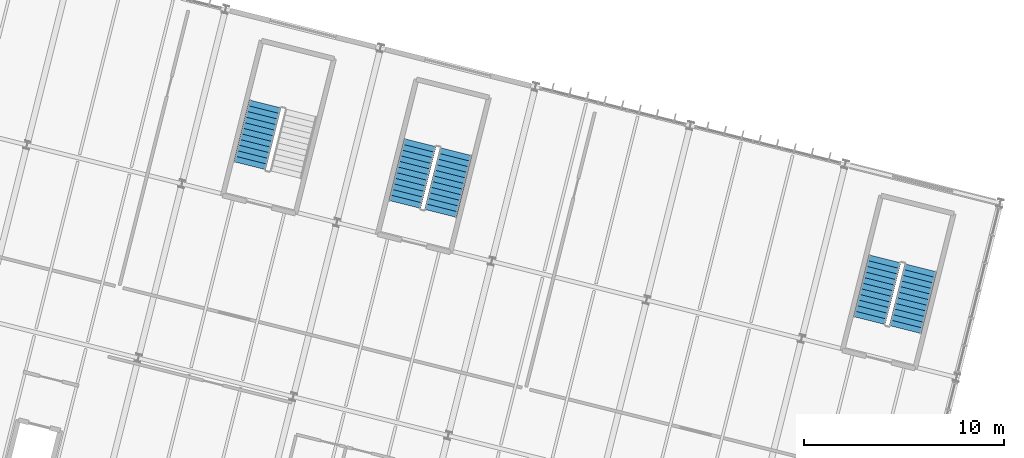
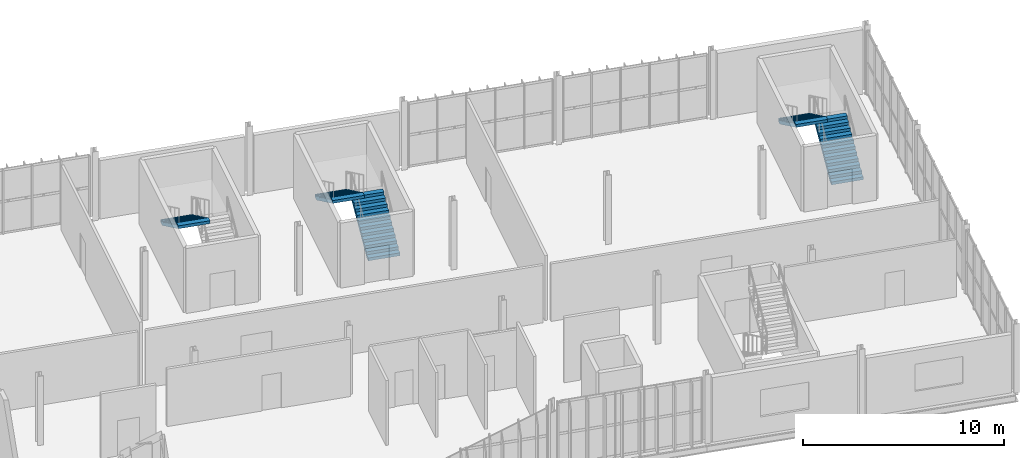
# One storey, part 48 of 61: 5 stair flights, 3 elements without a shape of their own.
"""IFC4 building model written with IfcOpenShell, lengths in metres."""

from ifc_helpers import new_model, si_unit, derived_unit, direction, frame, origin, place, context, subcontext, project, spatial, polyline, outline, extrude, material, type_object, element, aggregate, save


model = new_model("IFC4")

# Units and contexts
model_context = context("Model", 3, precision=1e-05, world=origin(), true_north=direction((0.0, 1.0)))
body_context = subcontext(model_context, "Body", "Model", "MODEL_VIEW")
ifc_project = project(units=[si_unit("LENGTHUNIT", "METRE"), si_unit("AREAUNIT", "SQUARE_METRE"), si_unit("VOLUMEUNIT", "CUBIC_METRE"), si_unit("PLANEANGLEUNIT", "RADIAN"), si_unit("MASSUNIT", "GRAM", prefix="KILO"), si_unit("THERMODYNAMICTEMPERATUREUNIT", "KELVIN"), si_unit("TIMEUNIT", "SECOND"), derived_unit("THERMALTRANSMITTANCEUNIT", [(si_unit("MASSUNIT", "GRAM", prefix="KILO"), 1), (si_unit("THERMODYNAMICTEMPERATUREUNIT", "KELVIN"), -1), (si_unit("TIMEUNIT", "SECOND"), -3)])], contexts=[model_context])

# Site, building, storey
site_placement = place(None, origin())
site = spatial("IfcSite", under=ifc_project, at=site_placement, CompositionType="ELEMENT")
building_placement = place(site_placement, origin())
building = spatial("IfcBuilding", under=site, at=building_placement, Name="Cambertide Market Hall", CompositionType="ELEMENT")
storey_placement = place(building_placement, frame((0.0, 0.0, 9.89990234375)))
storey = spatial("IfcBuildingStorey", under=building, at=storey_placement, Name="L03", CompositionType="ELEMENT", Elevation=9.89990234375)

# Stair, stair flight
ifc_material_1 = material(Name="Concrete B35", Category="concrete")
stair_type_1 = type_object("IfcStairType", Name="Concrete Dogleg Stair ST-07B", PredefinedType="HALF_TURN_STAIR", material=ifc_material_1)
stair_1_placement = place(storey_placement, origin())
stair_1 = element("IfcStair", 1, at=stair_1_placement, inside=storey, type_object=stair_type_1, Name="Level 3 Exit Stair Core 07B", PredefinedType="HALF_TURN_STAIR")
ifc_material_2 = material(Name="Concrete B35", Category="concrete")
stair_flight_type_1 = type_object("IfcStairFlightType", Name="Concrete Stair Flight ST-07B", PredefinedType="STRAIGHT", material=ifc_material_2)
stair_flight_1_placement = place(storey_placement, frame((139.818359375, 115.639892578125, 2.10009765625), z_axis=(0.0, 0.0, 1.0), x_axis=(-0.242535617113, -0.970142502126, 0.0)))
stair_flight_1 = element("IfcStairFlight", 2, at=stair_flight_1_placement, type_object=stair_flight_type_1, Name="ST-07B flight 2", NumberOfRisers=12, NumberOfTreads=11, PredefinedType="STRAIGHT", RiserHeight=0.175, TreadLength=0.29, context=body_context, shape_type="SweptSolid", body=[
    extrude(outline(polyline([(0.0, 0.0), (0.0, 0.175048828125), (0.2900390625, 0.175048828125), (0.2900390625, 0.35009765625), (0.580078125, 0.35009765625), (0.580078125, 0.52490234375), (0.8701171875, 0.52490234375), (0.8701171875, 0.699951171875), (1.159912109375, 0.699951171875), (1.159912109375, 0.875), (1.449951171875, 0.875), (1.449951171875, 1.050048828125), (1.739990234375, 1.050048828125), (1.739990234375, 1.22509765625), (2.030029296875, 1.22509765625), (2.030029296875, 1.39990234375), (2.320068359375, 1.39990234375), (2.320068359375, 1.574951171875), (2.610107421875, 1.574951171875), (2.610107421875, 1.75), (2.89990234375, 1.75), (2.89990234375, 1.925048828125), (3.18994140625, 1.925048828125), (3.18994140625, 2.10009765625), (3.18994140625, 1.75), (0.2900390625, 0.0), (0.0, 0.0)])), frame((0.0, 0.824951171875, 0.0), z_axis=(0.0, -1.0, 0.0), x_axis=(1.0, 0.0, 0.0)), (0.0, 0.0, 1.0), 1.64990234375),
])
aggregate(stair_1, [stair_flight_1])

# Stair, stair flights
ifc_material_3 = material(Name="Concrete B35", Category="concrete")
stair_type_2 = type_object("IfcStairType", Name="Concrete Dogleg Stair ST-08B", PredefinedType="HALF_TURN_STAIR", material=ifc_material_3)
stair_2_placement = place(storey_placement, origin())
stair_2 = element("IfcStair", 3, at=stair_2_placement, inside=storey, type_object=stair_type_2, Name="Level 3 Exit Stair Core 08B", PredefinedType="HALF_TURN_STAIR")
ifc_material_4 = material(Name="Concrete B35", Category="concrete")
stair_flight_type_2 = type_object("IfcStairFlightType", Name="Concrete Stair Flight ST-08B", PredefinedType="STRAIGHT", material=ifc_material_4)
stair_flight_2_placement = place(storey_placement, frame((171.8837890625, 104.335205078125, 0.0), z_axis=(0.0, 0.0, 1.0), x_axis=(0.242535617113, 0.970142502126, 0.0)))
stair_flight_2 = element("IfcStairFlight", 4, at=stair_flight_2_placement, type_object=stair_flight_type_2, Name="ST-08B flight 1", NumberOfRisers=12, NumberOfTreads=11, PredefinedType="STRAIGHT", RiserHeight=0.175, TreadLength=0.29, context=body_context, shape_type="SweptSolid", body=[
    extrude(outline(polyline([(0.0, 0.0), (0.0, 0.175048828125), (0.2900390625, 0.175048828125), (0.2900390625, 0.35009765625), (0.580078125, 0.35009765625), (0.580078125, 0.52490234375), (0.8701171875, 0.52490234375), (0.8701171875, 0.699951171875), (1.159912109375, 0.699951171875), (1.159912109375, 0.875), (1.449951171875, 0.875), (1.449951171875, 1.050048828125), (1.739990234375, 1.050048828125), (1.739990234375, 1.22509765625), (2.030029296875, 1.22509765625), (2.030029296875, 1.39990234375), (2.320068359375, 1.39990234375), (2.320068359375, 1.574951171875), (2.610107421875, 1.574951171875), (2.610107421875, 1.75), (2.89990234375, 1.75), (2.89990234375, 1.925048828125), (3.18994140625, 1.925048828125), (3.18994140625, 2.10009765625), (3.18994140625, 1.75), (0.2900390625, 0.0), (0.0, 0.0)])), frame((0.0, 0.824951171875, 0.0), z_axis=(0.0, -1.0, 0.0), x_axis=(1.0, 0.0, 0.0)), (0.0, 0.0, 1.0), 1.64990234375),
])
stair_flight_3_placement = place(storey_placement, frame((170.86279296875, 107.878662109375, 2.10009765625), z_axis=(0.0, 0.0, 1.0), x_axis=(-0.242535617113, -0.970142502126, 0.0)))
stair_flight_3 = element("IfcStairFlight", 5, at=stair_flight_3_placement, type_object=stair_flight_type_2, Name="ST-08B flight 2", NumberOfRisers=12, NumberOfTreads=11, PredefinedType="STRAIGHT", RiserHeight=0.175, TreadLength=0.29, context=body_context, shape_type="SweptSolid", body=[
    extrude(outline(polyline([(0.0, 0.0), (0.0, 0.175048828125), (0.2900390625, 0.175048828125), (0.2900390625, 0.35009765625), (0.580078125, 0.35009765625), (0.580078125, 0.52490234375), (0.8701171875, 0.52490234375), (0.8701171875, 0.699951171875), (1.159912109375, 0.699951171875), (1.159912109375, 0.875), (1.449951171875, 0.875), (1.449951171875, 1.050048828125), (1.739990234375, 1.050048828125), (1.739990234375, 1.22509765625), (2.030029296875, 1.22509765625), (2.030029296875, 1.39990234375), (2.320068359375, 1.39990234375), (2.320068359375, 1.574951171875), (2.610107421875, 1.574951171875), (2.610107421875, 1.75), (2.89990234375, 1.75), (2.89990234375, 1.925048828125), (3.18994140625, 1.925048828125), (3.18994140625, 2.10009765625), (3.18994140625, 1.75), (0.2900390625, 0.0), (0.0, 0.0)])), frame((0.0, 0.824951171875, 0.0), z_axis=(0.0, -1.0, 0.0), x_axis=(1.0, 0.0, 0.0)), (0.0, 0.0, 1.0), 1.64990234375),
])
aggregate(stair_2, [stair_flight_2, stair_flight_3])

ifc_material_5 = material(Name="Concrete B35", Category="concrete")
stair_type_3 = type_object("IfcStairType", Name="Concrete Dogleg Stair ST-09", PredefinedType="HALF_TURN_STAIR", material=ifc_material_5)
stair_3_placement = place(storey_placement, origin())
stair_3 = element("IfcStair", 6, at=stair_3_placement, inside=storey, type_object=stair_type_3, Name="Level 3 Exit Stair Core 09", PredefinedType="HALF_TURN_STAIR")
ifc_material_6 = material(Name="Concrete B35", Category="concrete")
stair_flight_type_3 = type_object("IfcStairFlightType", Name="Concrete Stair Flight ST-09", PredefinedType="STRAIGHT", material=ifc_material_6)
stair_flight_4_placement = place(storey_placement, frame((148.600341796875, 110.15625, 0.0), z_axis=(0.0, 0.0, 1.0), x_axis=(0.242535617113, 0.970142502126, 0.0)))
stair_flight_4 = element("IfcStairFlight", 7, at=stair_flight_4_placement, type_object=stair_flight_type_3, Name="ST-09 flight 1", NumberOfRisers=12, NumberOfTreads=11, PredefinedType="STRAIGHT", RiserHeight=0.175, TreadLength=0.29, context=body_context, shape_type="SweptSolid", body=[
    extrude(outline(polyline([(0.0, 0.0), (0.0, 0.175048828125), (0.2900390625, 0.175048828125), (0.2900390625, 0.35009765625), (0.580078125, 0.35009765625), (0.580078125, 0.52490234375), (0.8701171875, 0.52490234375), (0.8701171875, 0.699951171875), (1.159912109375, 0.699951171875), (1.159912109375, 0.875), (1.449951171875, 0.875), (1.449951171875, 1.050048828125), (1.739990234375, 1.050048828125), (1.739990234375, 1.22509765625), (2.030029296875, 1.22509765625), (2.030029296875, 1.39990234375), (2.320068359375, 1.39990234375), (2.320068359375, 1.574951171875), (2.610107421875, 1.574951171875), (2.610107421875, 1.75), (2.89990234375, 1.75), (2.89990234375, 1.925048828125), (3.18994140625, 1.925048828125), (3.18994140625, 2.10009765625), (3.18994140625, 1.75), (0.2900390625, 0.0), (0.0, 0.0)])), frame((0.0, 0.824951171875, 0.0), z_axis=(0.0, -1.0, 0.0), x_axis=(1.0, 0.0, 0.0)), (0.0, 0.0, 1.0), 1.64990234375),
])
stair_flight_5_placement = place(storey_placement, frame((147.579345703125, 113.69970703125, 2.10009765625), z_axis=(0.0, 0.0, 1.0), x_axis=(-0.242535617113, -0.970142502126, 0.0)))
stair_flight_5 = element("IfcStairFlight", 8, at=stair_flight_5_placement, type_object=stair_flight_type_3, Name="ST-09 flight 2", NumberOfRisers=12, NumberOfTreads=11, PredefinedType="STRAIGHT", RiserHeight=0.175, TreadLength=0.29, context=body_context, shape_type="SweptSolid", body=[
    extrude(outline(polyline([(0.0, 0.0), (0.0, 0.175048828125), (0.2900390625, 0.175048828125), (0.2900390625, 0.35009765625), (0.580078125, 0.35009765625), (0.580078125, 0.52490234375), (0.8701171875, 0.52490234375), (0.8701171875, 0.699951171875), (1.159912109375, 0.699951171875), (1.159912109375, 0.875), (1.449951171875, 0.875), (1.449951171875, 1.050048828125), (1.739990234375, 1.050048828125), (1.739990234375, 1.22509765625), (2.030029296875, 1.22509765625), (2.030029296875, 1.39990234375), (2.320068359375, 1.39990234375), (2.320068359375, 1.574951171875), (2.610107421875, 1.574951171875), (2.610107421875, 1.75), (2.89990234375, 1.75), (2.89990234375, 1.925048828125), (3.18994140625, 1.925048828125), (3.18994140625, 2.10009765625), (3.18994140625, 1.75), (0.2900390625, 0.0), (0.0, 0.0)])), frame((0.0, 0.824951171875, 0.0), z_axis=(0.0, -1.0, 0.0), x_axis=(1.0, 0.0, 0.0)), (0.0, 0.0, 1.0), 1.64990234375),
])
aggregate(stair_3, [stair_flight_4, stair_flight_5])

save(model, "model.ifc")
